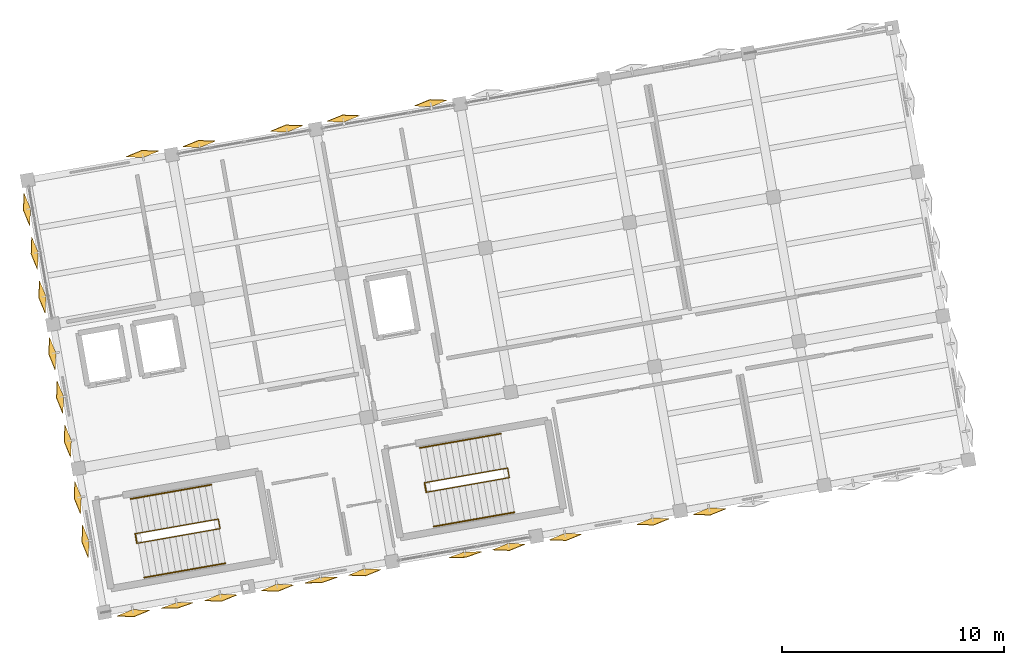
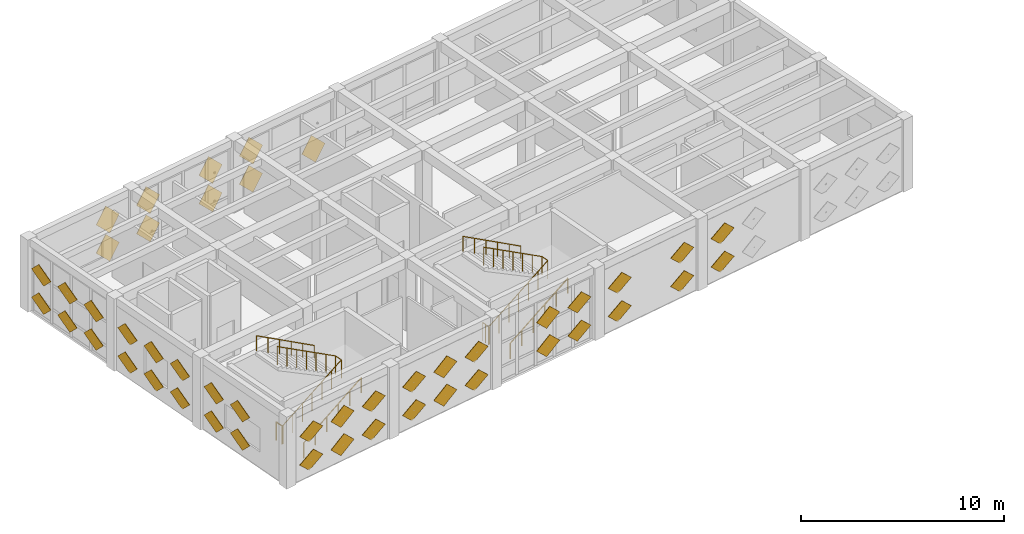
# One storey, part 34 of 36: 47 coverings, 8 railings.
"""IFC4 building model written with IfcOpenShell, lengths in metres."""

from ifc_helpers import new_model, si_unit, direction, frame, origin, origin_2d, place, context, subcontext, project, spatial, polyline, circle, outline, extrude, material, type_object, element, save


model = new_model("IFC4")

# Units and contexts
model_context = context("Model", 3, precision=1e-05, world=origin(), true_north=direction((0.0, 1.0)))
body_context = subcontext(model_context, "Body", "Model", "MODEL_VIEW")
ifc_project = project(units=[si_unit("LENGTHUNIT", "METRE"), si_unit("AREAUNIT", "SQUARE_METRE"), si_unit("VOLUMEUNIT", "CUBIC_METRE"), si_unit("PLANEANGLEUNIT", "RADIAN"), si_unit("MASSUNIT", "GRAM", prefix="KILO")], contexts=[model_context])

# Site, building, storey
site_placement = place(None, origin())
site = spatial("IfcSite", under=ifc_project, at=site_placement, CompositionType="ELEMENT")
building_placement = place(site_placement, origin())
building = spatial("IfcBuilding", under=site, at=building_placement, Name="Kharisveld Research Institute", CompositionType="ELEMENT")
storey_placement = place(building_placement, frame((0.0, 0.0, 27.60009765625)))
storey = spatial("IfcBuildingStorey", under=building, at=storey_placement, Name="L06", CompositionType="ELEMENT", Elevation=27.60009765625)

# Railings
ifc_material_1 = material(Name="Steel S355JR", Category="steel")
railing_type_1 = type_object("IfcRailingType", Name="RL_GRD_STR", PredefinedType="GUARDRAIL", material=ifc_material_1)
railing_1_placement = place(storey_placement, frame((6.75048828125, 38.13671875, 0.0)))
element("IfcRailing", 1, at=railing_1_placement, inside=storey, type_object=railing_type_1, Name="RLG:ST1:L06:GRD_SLOT", PredefinedType="GUARDRAIL", context=body_context, shape_type="SweptSolid", body=[
    extrude(circle(Radius=0.02392578125, at=origin_2d()), frame((0.0, 0.0, 1.09619140625), z_axis=(0.84417332575, 0.148863291176, 0.514986520826), x_axis=(-0.173662611611, 0.984805207809, 0.0)), (0.0, 0.0, 1.0), 4.369140625),
    extrude(circle(Radius=0.02392578125, at=origin_2d()), frame((3.688232421875, 0.650390625, 3.34619140625), z_axis=(-0.173658729201, 0.984805892434, 0.0), x_axis=(-0.984805892434, -0.173658729201, 0.0)), (0.0, 0.0, 1.0), 0.43994140625),
    extrude(circle(Radius=0.02392578125, at=origin_2d()), frame((3.61181640625, 1.083740234375, 3.34619140625), z_axis=(-0.844157266411, -0.148870313632, 0.515010814726), x_axis=(0.173673761132, -0.984803241614, 0.0)), (0.0, 0.0, 1.0), 4.368896484375),
    extrude(circle(Radius=0.02099609375, at=origin_2d()), origin(), (0.0, 0.0, 1.0), 1.072021484375),
    extrude(circle(Radius=0.02099609375, at=origin_2d()), frame((0.61474609375, 0.1083984375, 0.375)), (0.0, 0.0, 1.0), 1.072021484375),
    extrude(circle(Radius=0.02099609375, at=origin_2d()), frame((1.2294921875, 0.216796875, 0.75)), (0.0, 0.0, 1.0), 1.072021484375),
    extrude(circle(Radius=0.02099609375, at=origin_2d()), frame((1.84423828125, 0.3251953125, 1.125)), (0.0, 0.0, 1.0), 1.072021484375),
    extrude(circle(Radius=0.02099609375, at=origin_2d()), frame((2.458740234375, 0.43359375, 1.5)), (0.0, 0.0, 1.0), 1.072021484375),
    extrude(circle(Radius=0.02099609375, at=origin_2d()), frame((3.073486328125, 0.5419921875, 1.875)), (0.0, 0.0, 1.0), 1.072021484375),
    extrude(circle(Radius=0.02099609375, at=origin_2d()), frame((3.688232421875, 0.650390625, 2.25)), (0.0, 0.0, 1.0), 1.072021484375),
    extrude(circle(Radius=0.02099609375, at=origin_2d()), frame((3.61181640625, 1.083740234375, 2.25)), (0.0, 0.0, 1.0), 1.072021484375),
    extrude(circle(Radius=0.02099609375, at=origin_2d()), frame((2.9970703125, 0.975341796875, 2.625)), (0.0, 0.0, 1.0), 1.072021484375),
    extrude(circle(Radius=0.02099609375, at=origin_2d()), frame((2.382568359375, 0.866943359375, 3.0)), (0.0, 0.0, 1.0), 1.072021484375),
    extrude(circle(Radius=0.02099609375, at=origin_2d()), frame((1.767822265625, 0.758544921875, 3.375)), (0.0, 0.0, 1.0), 1.072021484375),
    extrude(circle(Radius=0.02099609375, at=origin_2d()), frame((1.153076171875, 0.650146484375, 3.75)), (0.0, 0.0, 1.0), 1.072021484375),
    extrude(circle(Radius=0.02099609375, at=origin_2d()), frame((0.53857421875, 0.541748046875, 4.125)), (0.0, 0.0, 1.0), 1.072021484375),
    extrude(circle(Radius=0.02099609375, at=origin_2d()), frame((-0.076171875, 0.433349609375, 4.5)), (0.0, 0.0, 1.0), 1.072021484375),
])
railing_2_placement = place(storey_placement, frame((6.69140625, 38.12646484375, 0.0)))
element("IfcRailing", 2, at=railing_2_placement, inside=storey, type_object=railing_type_1, Name="RLG:ST1:L06:GRD_FLRSLOT", PredefinedType="GUARDRAIL", context=body_context, shape_type="SweptSolid", body=[
    extrude(circle(Radius=0.02392578125, at=origin_2d()), frame((0.0, 0.0, 1.09619140625), z_axis=(-0.173753665698, 0.984789146801, 0.0), x_axis=(-0.984789146801, -0.173753665698, 0.0)), (0.0, 0.0, 1.0), 0.439697265625),
    extrude(circle(Radius=0.02099609375, at=origin_2d()), origin(), (0.0, 0.0, 1.0), 1.072021484375),
    extrude(circle(Radius=0.02099609375, at=origin_2d()), frame((-0.076416015625, 0.43310546875, 0.0)), (0.0, 0.0, 1.0), 1.072021484375),
])
railing_3_placement = place(storey_placement, frame((19.79931640625, 40.4375, 0.0)))
element("IfcRailing", 3, at=railing_3_placement, inside=storey, type_object=railing_type_1, Name="RLG:ST2:L06:GRD_SLOT", PredefinedType="GUARDRAIL", context=body_context, shape_type="SweptSolid", body=[
    extrude(circle(Radius=0.02392578125, at=origin_2d()), frame((0.0, 0.0, 1.09619140625), z_axis=(0.844157266411, 0.148870313632, 0.515010814726), x_axis=(-0.173673761132, 0.984803241614, 0.0)), (0.0, 0.0, 1.0), 4.368896484375),
    extrude(circle(Radius=0.02392578125, at=origin_2d()), frame((3.68798828125, 0.650390625, 3.34619140625), z_axis=(-0.173658729201, 0.984805892434, 0.0), x_axis=(-0.984805892434, -0.173658729201, 0.0)), (0.0, 0.0, 1.0), 0.43994140625),
    extrude(circle(Radius=0.02392578125, at=origin_2d()), frame((3.611572265625, 1.083740234375, 3.34619140625), z_axis=(-0.844157266411, -0.148870313632, 0.515010814726), x_axis=(0.173673761132, -0.984803241614, 0.0)), (0.0, 0.0, 1.0), 4.368896484375),
    extrude(circle(Radius=0.02099609375, at=origin_2d()), origin(), (0.0, 0.0, 1.0), 1.072021484375),
    extrude(circle(Radius=0.02099609375, at=origin_2d()), frame((0.61474609375, 0.1083984375, 0.375)), (0.0, 0.0, 1.0), 1.072021484375),
    extrude(circle(Radius=0.02099609375, at=origin_2d()), frame((1.229248046875, 0.216796875, 0.75)), (0.0, 0.0, 1.0), 1.072021484375),
    extrude(circle(Radius=0.02099609375, at=origin_2d()), frame((1.843994140625, 0.3251953125, 1.125)), (0.0, 0.0, 1.0), 1.072021484375),
    extrude(circle(Radius=0.02099609375, at=origin_2d()), frame((2.458740234375, 0.43359375, 1.5)), (0.0, 0.0, 1.0), 1.072021484375),
    extrude(circle(Radius=0.02099609375, at=origin_2d()), frame((3.0732421875, 0.5419921875, 1.875)), (0.0, 0.0, 1.0), 1.072021484375),
    extrude(circle(Radius=0.02099609375, at=origin_2d()), frame((3.68798828125, 0.650390625, 2.25)), (0.0, 0.0, 1.0), 1.072021484375),
    extrude(circle(Radius=0.02099609375, at=origin_2d()), frame((3.611572265625, 1.083740234375, 2.25)), (0.0, 0.0, 1.0), 1.072021484375),
    extrude(circle(Radius=0.02099609375, at=origin_2d()), frame((2.996826171875, 0.975341796875, 2.625)), (0.0, 0.0, 1.0), 1.072021484375),
    extrude(circle(Radius=0.02099609375, at=origin_2d()), frame((2.38232421875, 0.866943359375, 3.0)), (0.0, 0.0, 1.0), 1.072021484375),
    extrude(circle(Radius=0.02099609375, at=origin_2d()), frame((1.767578125, 0.758544921875, 3.375)), (0.0, 0.0, 1.0), 1.072021484375),
    extrude(circle(Radius=0.02099609375, at=origin_2d()), frame((1.15283203125, 0.650146484375, 3.75)), (0.0, 0.0, 1.0), 1.072021484375),
    extrude(circle(Radius=0.02099609375, at=origin_2d()), frame((0.538330078125, 0.541748046875, 4.125)), (0.0, 0.0, 1.0), 1.072021484375),
    extrude(circle(Radius=0.02099609375, at=origin_2d()), frame((-0.076416015625, 0.433349609375, 4.5)), (0.0, 0.0, 1.0), 1.072021484375),
])
railing_4_placement = place(storey_placement, frame((19.740234375, 40.42724609375, 0.0)))
element("IfcRailing", 4, at=railing_4_placement, inside=storey, type_object=railing_type_1, Name="RLG:ST2:L06:GRD_FLRSLOT", PredefinedType="GUARDRAIL", context=body_context, shape_type="SweptSolid", body=[
    extrude(circle(Radius=0.02392578125, at=origin_2d()), frame((0.0, 0.0, 1.09619140625), z_axis=(-0.173658729201, 0.984805892434, 0.0), x_axis=(-0.984805892434, -0.173658729201, 0.0)), (0.0, 0.0, 1.0), 0.43994140625),
    extrude(circle(Radius=0.02099609375, at=origin_2d()), origin(), (0.0, 0.0, 1.0), 1.072021484375),
    extrude(circle(Radius=0.02099609375, at=origin_2d()), frame((-0.0380859375, 0.216796875, 0.0)), (0.0, 0.0, 1.0), 1.072021484375),
    extrude(circle(Radius=0.02099609375, at=origin_2d()), frame((-0.076416015625, 0.433349609375, 0.0)), (0.0, 0.0, 1.0), 1.072021484375),
])
ifc_material_2 = material(Name="Stainless Steel 316", Category="steel")
railing_type_2 = type_object("IfcRailingType", Name="RL_HND_STR", PredefinedType="HANDRAIL", material=ifc_material_2)
railing_5_placement = place(storey_placement, frame((7.02490234375, 36.580810546875, 0.0)))
element("IfcRailing", 5, at=railing_5_placement, inside=storey, type_object=railing_type_2, Name="RLG:ST1:L06:HR1", PredefinedType="HANDRAIL", context=body_context, shape_type="SweptSolid", body=[
    extrude(circle(Radius=0.02392578125, at=origin_2d()), frame((0.0, 0.0, 0.89599609375), z_axis=(0.841746897377, 0.148411045473, 0.519072559801), x_axis=(-0.173634966033, 0.984810082488, 0.0)), (0.0, 0.0, 1.0), 4.334716796875),
    extrude(circle(Radius=0.02099609375, at=origin_2d()), origin(), (0.0, 0.0, 1.0), 0.871826171875),
    extrude(circle(Radius=0.02099609375, at=origin_2d()), frame((0.729736328125, 0.128662109375, 0.449951171875)), (0.0, 0.0, 1.0), 0.871826171875),
    extrude(circle(Radius=0.02099609375, at=origin_2d()), frame((1.45947265625, 0.25732421875, 0.89990234375)), (0.0, 0.0, 1.0), 0.871826171875),
    extrude(circle(Radius=0.02099609375, at=origin_2d()), frame((2.189208984375, 0.385986328125, 1.35009765625)), (0.0, 0.0, 1.0), 0.871826171875),
    extrude(circle(Radius=0.02099609375, at=origin_2d()), frame((2.9189453125, 0.5146484375, 1.800048828125)), (0.0, 0.0, 1.0), 0.871826171875),
    extrude(circle(Radius=0.02099609375, at=origin_2d()), frame((3.648681640625, 0.643310546875, 2.25)), (0.0, 0.0, 1.0), 0.871826171875),
])
railing_6_placement = place(storey_placement, frame((10.048583984375, 40.76953125, 2.25)))
element("IfcRailing", 6, at=railing_6_placement, inside=storey, type_object=railing_type_2, Name="RLG:ST1:L06:HR2", PredefinedType="HANDRAIL", context=body_context, shape_type="SweptSolid", body=[
    extrude(circle(Radius=0.02392578125, at=origin_2d()), frame((0.0, 0.0, 0.89599609375), z_axis=(-0.841739860008, -0.148466127198, 0.519068220129), x_axis=(0.173698873865, -0.984798812559, 0.0)), (0.0, 0.0, 1.0), 4.334716796875),
    extrude(circle(Radius=0.02099609375, at=origin_2d()), origin(), (0.0, 0.0, 1.0), 0.871826171875),
    extrude(circle(Radius=0.02099609375, at=origin_2d()), frame((-0.729736328125, -0.128662109375, 0.449951171875)), (0.0, 0.0, 1.0), 0.871826171875),
    extrude(circle(Radius=0.02099609375, at=origin_2d()), frame((-1.45947265625, -0.25732421875, 0.89990234375)), (0.0, 0.0, 1.0), 0.871826171875),
    extrude(circle(Radius=0.02099609375, at=origin_2d()), frame((-2.189208984375, -0.38623046875, 1.35009765625)), (0.0, 0.0, 1.0), 0.871826171875),
    extrude(circle(Radius=0.02099609375, at=origin_2d()), frame((-2.9189453125, -0.514892578125, 1.800048828125)), (0.0, 0.0, 1.0), 0.871826171875),
    extrude(circle(Radius=0.02099609375, at=origin_2d()), frame((-3.648681640625, -0.6435546875, 2.25)), (0.0, 0.0, 1.0), 0.871826171875),
])
railing_7_placement = place(storey_placement, frame((20.07373046875, 38.881591796875, 0.0)))
element("IfcRailing", 7, at=railing_7_placement, inside=storey, type_object=railing_type_2, Name="RLG:ST2:L06:HR1", PredefinedType="HANDRAIL", context=body_context, shape_type="SweptSolid", body=[
    extrude(circle(Radius=0.02392578125, at=origin_2d()), frame((0.0, 0.0, 0.89599609375), z_axis=(0.841746897377, 0.148411045473, 0.519072559801), x_axis=(-0.173634966033, 0.984810082488, 0.0)), (0.0, 0.0, 1.0), 4.334716796875),
    extrude(circle(Radius=0.02099609375, at=origin_2d()), origin(), (0.0, 0.0, 1.0), 0.871826171875),
    extrude(circle(Radius=0.02099609375, at=origin_2d()), frame((0.729736328125, 0.128662109375, 0.449951171875)), (0.0, 0.0, 1.0), 0.871826171875),
    extrude(circle(Radius=0.02099609375, at=origin_2d()), frame((1.45947265625, 0.25732421875, 0.89990234375)), (0.0, 0.0, 1.0), 0.871826171875),
    extrude(circle(Radius=0.02099609375, at=origin_2d()), frame((2.189208984375, 0.385986328125, 1.35009765625)), (0.0, 0.0, 1.0), 0.871826171875),
    extrude(circle(Radius=0.02099609375, at=origin_2d()), frame((2.9189453125, 0.5146484375, 1.800048828125)), (0.0, 0.0, 1.0), 0.871826171875),
    extrude(circle(Radius=0.02099609375, at=origin_2d()), frame((3.648681640625, 0.643310546875, 2.25)), (0.0, 0.0, 1.0), 0.871826171875),
])
railing_8_placement = place(storey_placement, frame((23.09716796875, 43.0703125, 2.25)))
element("IfcRailing", 8, at=railing_8_placement, inside=storey, type_object=railing_type_2, Name="RLG:ST2:L06:HR2", PredefinedType="HANDRAIL", context=body_context, shape_type="SweptSolid", body=[
    extrude(circle(Radius=0.02392578125, at=origin_2d()), frame((0.0, 0.0, 0.89599609375), z_axis=(-0.841746897377, -0.148411045473, 0.519072559801), x_axis=(0.173634966033, -0.984810082488, 0.0)), (0.0, 0.0, 1.0), 4.334716796875),
    extrude(circle(Radius=0.02099609375, at=origin_2d()), origin(), (0.0, 0.0, 1.0), 0.871826171875),
    extrude(circle(Radius=0.02099609375, at=origin_2d()), frame((-0.729736328125, -0.128662109375, 0.449951171875)), (0.0, 0.0, 1.0), 0.871826171875),
    extrude(circle(Radius=0.02099609375, at=origin_2d()), frame((-1.45947265625, -0.25732421875, 0.89990234375)), (0.0, 0.0, 1.0), 0.871826171875),
    extrude(circle(Radius=0.02099609375, at=origin_2d()), frame((-2.189208984375, -0.385986328125, 1.35009765625)), (0.0, 0.0, 1.0), 0.871826171875),
    extrude(circle(Radius=0.02099609375, at=origin_2d()), frame((-2.9189453125, -0.5146484375, 1.800048828125)), (0.0, 0.0, 1.0), 0.871826171875),
    extrude(circle(Radius=0.02099609375, at=origin_2d()), frame((-3.648681640625, -0.643310546875, 2.25)), (0.0, 0.0, 1.0), 0.871826171875),
])

# Coverings
ifc_material_3 = material(Name="White Powder-Coated Perforated Aluminium", Category="aluminium")
covering_type = type_object("IfcCoveringType", Name="CV_DIA_105", PredefinedType="CLADDING")
for number, where, z_axis, x_axis, name in (
    (9, (4.529052734375, 38.24267578125, 0.324951171875), (0.961476347302, 0.169530643305, 0.21638529192), (-0.273471090272, 0.669725119033, 0.690421485559), "SHD:V1:L06:W0:S1C0"),
    (10, (4.529052734375, 38.24267578125, 2.025146484375), (0.961476347302, 0.169530643305, 0.21638529192), (-0.273471090272, 0.669725119033, 0.690421485559), "SHD:V1:L06:W0:S1C1"),
):
    element("IfcCovering", number, at=place(storey_placement, frame(where, z_axis=z_axis, x_axis=x_axis)), inside=storey, type_object=covering_type, material=ifc_material_3, Name=name, PredefinedType="CLADDING", context=body_context, shape_type="SweptSolid", body=[
        extrude(outline(polyline([(0.0, 0.0), (1.0498710291992122, 0.0), (1.0499937163043682, 1.0499534820137317), (0.00012268710515594972, 1.049953482013732), (0.0, 0.0)])), origin(), (0.0, 0.0, -1.0), 0.02392578125),
    ])
for number, where, z_axis, x_axis, name in (
    (11, (4.181396484375, 40.215576171875, 0.324951171875), (0.961442649282, 0.16952470156, 0.216539621552), (-0.273578752319, 0.669701468459, 0.690401773914), "SHD:V1:L06:W0:S2C0"),
    (12, (4.181396484375, 40.215576171875, 2.025146484375), (0.961442649282, 0.16952470156, 0.216539621552), (-0.273578752319, 0.669701468459, 0.690401773914), "SHD:V1:L06:W0:S2C1"),
):
    element("IfcCovering", number, at=place(storey_placement, frame(where, z_axis=z_axis, x_axis=x_axis)), inside=storey, type_object=covering_type, material=ifc_material_3, Name=name, PredefinedType="CLADDING", context=body_context, shape_type="SweptSolid", body=[
        extrude(outline(polyline([(0.0, 0.0), (1.0499378143046156, 0.0), (1.0500673190877523, 1.04995347463551), (0.0001962964707143966, 1.0499603048962165), (0.0, 0.0)])), origin(), (0.0, 0.0, -1.0), 0.02392578125),
    ])
for number, where, z_axis, x_axis, name in (
    (13, (3.73095703125, 42.76953125, 0.324951171875), (0.961481187298, 0.169503194288, 0.216385289699), (-0.273452141042, 0.669728459805, 0.690425750307), "SHD:V1:L06:W1:S0C0"),
    (14, (3.73095703125, 42.76953125, 2.025146484375), (0.961481187298, 0.169503194288, 0.216385289699), (-0.273452141042, 0.669728459805, 0.690425750307), "SHD:V1:L06:W1:S0C1"),
    (15, (3.383056640625, 44.742431640625, 0.324951171875), (0.961481187298, 0.169503194288, 0.216385289699), (-0.273452141042, 0.669728459805, 0.690425750307), "SHD:V1:L06:W1:S1C0"),
    (16, (3.383056640625, 44.742431640625, 2.025146484375), (0.961481187298, 0.169503194288, 0.216385289699), (-0.273452141042, 0.669728459805, 0.690425750307), "SHD:V1:L06:W1:S1C1"),
    (17, (3.03515625, 46.71533203125, 0.324951171875), (0.961481187298, 0.169503194288, 0.216385289699), (-0.273452141042, 0.669728459805, 0.690425750307), "SHD:V1:L06:W1:S2C0"),
    (18, (3.03515625, 46.71533203125, 2.025146484375), (0.961481187298, 0.169503194288, 0.216385289699), (-0.273452141042, 0.669728459805, 0.690425750307), "SHD:V1:L06:W1:S2C1"),
):
    element("IfcCovering", number, at=place(storey_placement, frame(where, z_axis=z_axis, x_axis=x_axis)), inside=storey, type_object=covering_type, material=ifc_material_3, Name=name, PredefinedType="CLADDING", context=body_context, shape_type="SweptSolid", body=[
        extrude(outline(polyline([(0.0, 0.0), (1.0498710289953155, -1.1102230246251565e-16), (1.0499937165082887, 1.0499534818098035), (-4.082041178410378e-05, 1.0501299960653954), (0.0, 0.0)])), origin(), (0.0, 0.0, -1.0), 0.02392578125),
    ])
for number, where, z_axis, x_axis, name in (
    (19, (2.5849609375, 49.269287109375, 0.324951171875), (0.961420032054, 0.169652917176, 0.216539626071), (-0.273667258538, 0.669685861016, 0.690381835769), "SHD:V1:L06:W2:S0C0"),
    (20, (2.5849609375, 49.269287109375, 2.025146484375), (0.961420032054, 0.169652917176, 0.216539626071), (-0.273667258538, 0.669685861016, 0.690381835769), "SHD:V1:L06:W2:S0C1"),
    (21, (2.237060546875, 51.2421875, 0.324951171875), (0.961420032054, 0.169652917176, 0.216539626071), (-0.273667258538, 0.669685861016, 0.690381835769), "SHD:V1:L06:W2:S1C0"),
    (22, (2.237060546875, 51.2421875, 2.025146484375), (0.961420032054, 0.169652917176, 0.216539626071), (-0.273667258538, 0.669685861016, 0.690381835769), "SHD:V1:L06:W2:S1C1"),
):
    element("IfcCovering", number, at=place(storey_placement, frame(where, z_axis=z_axis, x_axis=x_axis)), inside=storey, type_object=covering_type, material=ifc_material_3, Name=name, PredefinedType="CLADDING", context=body_context, shape_type="SweptSolid", body=[
        extrude(outline(polyline([(0.0, 0.0), (1.0499378206599106, 0.0), (1.0500673127316735, 1.0499534809922781), (-3.40054528989997e-05, 1.0501299963078314), (0.0, 0.0)])), origin(), (0.0, 0.0, -1.0), 0.02392578125),
    ])
for number, where, z_axis, x_axis, name in (
    (23, (1.88916015625, 53.215087890625, 0.324951171875), (0.961447488939, 0.169497253476, 0.216539620108), (-0.273559622879, 0.669709514325, 0.690401549211), "SHD:V1:L06:W2:S2C0"),
    (24, (1.88916015625, 53.215087890625, 2.025146484375), (0.961447488939, 0.169497253476, 0.216539620108), (-0.273559622879, 0.669709514325, 0.690401549211), "SHD:V1:L06:W2:S2C1"),
):
    element("IfcCovering", number, at=place(storey_placement, frame(where, z_axis=z_axis, x_axis=x_axis)), inside=storey, type_object=covering_type, material=ifc_material_3, Name=name, PredefinedType="CLADDING", context=body_context, shape_type="SweptSolid", body=[
        extrude(outline(polyline([(0.0, 0.0), (1.0498710247482905, 1.1102230246251565e-16), (1.0500604861589913, 1.0499603082606803), (-4.0828905999434895e-05, 1.0501299918190874), (0.0, 0.0)])), origin(), (0.0, 0.0, -1.0), 0.02392578125),
    ])
for number, where, z_axis, x_axis, name in (
    (25, (6.96728515625, 55.52783203125, 0.324951171875), (0.169652917176, -0.961420032054, 0.216539626071), (0.66980738436, 0.273662566838, 0.690265794725), "SHD:V1:L06:N0:S2C0"),
    (26, (6.96728515625, 55.52783203125, 2.025146484375), (0.169652917176, -0.961420032054, 0.216539626071), (0.66980738436, 0.273662566838, 0.690265794725), "SHD:V1:L06:N0:S2C1"),
):
    element("IfcCovering", number, at=place(storey_placement, frame(where, z_axis=z_axis, x_axis=x_axis)), inside=storey, type_object=covering_type, material=ifc_material_3, Name=name, PredefinedType="CLADDING", context=body_context, shape_type="SweptSolid", body=[
        extrude(outline(polyline([(0.0, 0.0), (1.0501013330201203, 0.0), (1.049890807434033, 1.0501299757557796), (-4.699839263988537e-05, 1.0499534879256078), (0.0, 0.0)])), origin(), (0.0, 0.0, -1.0), 0.02392578125),
    ])
for number, where, z_axis, x_axis, name in (
    (27, (9.521240234375, 55.978271484375, 0.324951171875), (0.169503194288, -0.961481187298, 0.216385289699), (0.669849989418, 0.273447448775, 0.690309701826), "SHD:V1:L06:N1:S0C0"),
    (28, (9.521240234375, 55.978271484375, 2.025146484375), (0.169503194288, -0.961481187298, 0.216385289699), (0.669849989418, 0.273447448775, 0.690309701826), "SHD:V1:L06:N1:S0C1"),
    (29, (13.467041015625, 56.674072265625, 0.324951171875), (0.169503194288, -0.961481187298, 0.216385289699), (0.669849989418, 0.273447448775, 0.690309701826), "SHD:V1:L06:N1:S2C0"),
    (30, (13.467041015625, 56.674072265625, 2.025146484375), (0.169503194288, -0.961481187298, 0.216385289699), (0.669849989418, 0.273447448775, 0.690309701826), "SHD:V1:L06:N1:S2C1"),
):
    element("IfcCovering", number, at=place(storey_placement, frame(where, z_axis=z_axis, x_axis=x_axis)), inside=storey, type_object=covering_type, material=ifc_material_3, Name=name, PredefinedType="CLADDING", context=body_context, shape_type="SweptSolid", body=[
        extrude(outline(polyline([(0.0, 0.0), (1.0500345517563856, -1.1102230246251565e-16), (1.0498172010450848, 1.0501299743656882), (-5.381311622809637e-05, 1.0499534875988095), (0.0, 0.0)])), origin(), (0.0, 0.0, -1.0), 0.02392578125),
    ])
for number, where, z_axis, x_axis, name in (
    (31, (16.02099609375, 57.124267578125, 0.324951171875), (0.16952470156, -0.961442649282, 0.216539621552), (0.66970617229, 0.273578570302, 0.690397283213), "SHD:V1:L06:N2:S0C0"),
    (32, (16.02099609375, 57.124267578125, 2.025146484375), (0.16952470156, -0.961442649282, 0.216539621552), (0.66970617229, 0.273578570302, 0.690397283213), "SHD:V1:L06:N2:S0C1"),
):
    element("IfcCovering", number, at=place(storey_placement, frame(where, z_axis=z_axis, x_axis=x_axis)), inside=storey, type_object=covering_type, material=ifc_material_3, Name=name, PredefinedType="CLADDING", context=body_context, shape_type="SweptSolid", body=[
        extrude(outline(polyline([(0.0, 0.0), (1.0498710226392558, 0.0), (1.0500604882684064, 1.0499603061510638), (0.00012267398601040203, 1.0499534754558235), (0.0, 0.0)])), origin(), (0.0, 0.0, -1.0), 0.02392578125),
    ])
covering_1_placement = place(storey_placement, frame((19.966796875, 57.820068359375, 0.324951171875), z_axis=(0.169530643305, -0.961476347302, 0.21638529192), x_axis=(0.669725119033, 0.273471090272, 0.690421485559)))
element("IfcCovering", 33, at=covering_1_placement, inside=storey, type_object=covering_type, material=ifc_material_3, Name="SHD:V1:L06:N2:S2C0", PredefinedType="CLADDING", context=body_context, shape_type="SweptSolid", body=[
    extrude(outline(polyline([(0.0, 0.0), (1.0498710291992122, 0.0), (1.0499937163043682, 1.0499534820137317), (0.00012268710515594972, 1.049953482013732), (0.0, 0.0)])), origin(), (0.0, 0.0, -1.0), 0.02392578125),
])
for number, where, z_axis, x_axis, name in (
    (34, (32.4931640625, 39.7216796875, 0.324951171875), (-0.169504241221, 0.961487125864, 0.216358080518), (-0.669853329409, -0.27342850239, 0.690313965642), "SHD:V1:L06:S5:S2C0"),
    (35, (32.4931640625, 39.7216796875, 2.025146484375), (-0.169504241221, 0.961487125864, 0.216358080518), (-0.669853329409, -0.27342850239, 0.690313965642), "SHD:V1:L06:S5:S2C1"),
):
    element("IfcCovering", number, at=place(storey_placement, frame(where, z_axis=z_axis, x_axis=x_axis)), inside=storey, type_object=covering_type, material=ifc_material_3, Name=name, PredefinedType="CLADDING", context=body_context, shape_type="SweptSolid", body=[
        extrude(outline(polyline([(0.0, 0.0), (1.0500345519602505, 0.0), (1.0499807392517624, 1.0499534878027108), (-5.381270848814346e-05, 1.049953487802711), (0.0, 0.0)])), origin(), (0.0, 0.0, -1.0), 0.02392578125),
    ])
for number, where, z_axis, x_axis, name in (
    (36, (29.939208984375, 39.271240234375, 0.324951171875), (-0.169503194288, 0.961481187298, 0.216385289699), (-0.669849989418, -0.273447448775, 0.690309701826), "SHD:V1:L06:S4:S0C0"),
    (37, (29.939208984375, 39.271240234375, 2.025146484375), (-0.169503194288, 0.961481187298, 0.216385289699), (-0.669849989418, -0.273447448775, 0.690309701826), "SHD:V1:L06:S4:S0C1"),
):
    element("IfcCovering", number, at=place(storey_placement, frame(where, z_axis=z_axis, x_axis=x_axis)), inside=storey, type_object=covering_type, material=ifc_material_3, Name=name, PredefinedType="CLADDING", context=body_context, shape_type="SweptSolid", body=[
        extrude(outline(polyline([(0.0, 0.0), (1.0500345517563856, -1.1102230246251565e-16), (1.0498172010450848, 1.0501299743656882), (-5.381311622809637e-05, 1.0499534875988095), (0.0, 0.0)])), origin(), (0.0, 0.0, -1.0), 0.02392578125),
    ])
for number, where, z_axis, x_axis, name in (
    (38, (25.993408203125, 38.57568359375, 0.324951171875), (-0.169652917176, 0.961420032054, 0.216539626071), (-0.66980738436, -0.273662566838, 0.690265794725), "SHD:V1:L06:S4:S2C0"),
    (39, (25.993408203125, 38.57568359375, 2.025146484375), (-0.169652917176, 0.961420032054, 0.216539626071), (-0.66980738436, -0.273662566838, 0.690265794725), "SHD:V1:L06:S4:S2C1"),
):
    element("IfcCovering", number, at=place(storey_placement, frame(where, z_axis=z_axis, x_axis=x_axis)), inside=storey, type_object=covering_type, material=ifc_material_3, Name=name, PredefinedType="CLADDING", context=body_context, shape_type="SweptSolid", body=[
        extrude(outline(polyline([(0.0, 0.0), (1.0501013330201203, 0.0), (1.049890807434033, 1.0501299757557796), (-4.699839263988537e-05, 1.0499534879256078), (0.0, 0.0)])), origin(), (0.0, 0.0, -1.0), 0.02392578125),
    ])
for number, where, z_axis, x_axis, name in (
    (40, (23.439453125, 38.125244140625, 0.324951171875), (-0.169503194288, 0.961481187298, 0.216385289699), (-0.669849989418, -0.273447448775, 0.690309701826), "SHD:V1:L06:S3:S0C0"),
    (41, (23.439453125, 38.125244140625, 2.025146484375), (-0.169503194288, 0.961481187298, 0.216385289699), (-0.669849989418, -0.273447448775, 0.690309701826), "SHD:V1:L06:S3:S0C1"),
):
    element("IfcCovering", number, at=place(storey_placement, frame(where, z_axis=z_axis, x_axis=x_axis)), inside=storey, type_object=covering_type, material=ifc_material_3, Name=name, PredefinedType="CLADDING", context=body_context, shape_type="SweptSolid", body=[
        extrude(outline(polyline([(0.0, 0.0), (1.0500345517563856, -1.1102230246251565e-16), (1.0498172010450848, 1.0501299743656882), (-5.381311622809637e-05, 1.0499534875988095), (0.0, 0.0)])), origin(), (0.0, 0.0, -1.0), 0.02392578125),
    ])
covering_2_placement = place(storey_placement, frame((21.47314453125, 37.73974609375, 0.317626953125), z_axis=(-0.171237830585, 0.971320648866, 0.164966064583), x_axis=(-0.676188457252, -0.237643325501, 0.697348420894)))
element("IfcCovering", 42, at=covering_2_placement, inside=storey, type_object=covering_type, material=ifc_material_3, Name="SHD:V1:L06:S3:S1C0", PredefinedType="CLADDING", context=body_context, shape_type="SweptSolid", body=[
    extrude(outline(polyline([(0.0, 0.0), (1.0499451725130124, 0.0), (1.0497685064748128, 1.0502600664649298), (-0.00018183204494859329, 1.0499148415275723), (0.0, 0.0)])), origin(), (0.0, 0.0, -1.0), 0.02392578125),
])
covering_3_placement = place(storey_placement, frame((21.47314453125, 37.73974609375, 2.017578125), z_axis=(-0.171237830585, 0.971320648866, 0.164966064583), x_axis=(-0.676072253132, -0.237642047114, 0.697461515776)))
element("IfcCovering", 43, at=covering_3_placement, inside=storey, type_object=covering_type, material=ifc_material_3, Name="SHD:V1:L06:S3:S1C1", PredefinedType="CLADDING", context=body_context, shape_type="SweptSolid", body=[
    extrude(outline(polyline([(0.0, 0.0), (1.0501154373989794, 0.0), (1.0499388016086548, 1.0500898234312432), (0.00015869960247516524, 1.0500851150823278), (0.0, 0.0)])), origin(), (0.0, 0.0, -1.0), 0.02392578125),
])
for number, where, z_axis, x_axis, name in (
    (44, (16.939697265625, 36.979248046875, 0.324951171875), (-0.169680388935, 0.961415183851, 0.216539626561), (-0.669682514552, -0.273686222093, 0.690377564481), "SHD:V1:L06:S2:S0C0"),
    (45, (16.939697265625, 36.979248046875, 2.025146484375), (-0.169680388935, 0.961415183851, 0.216539626561), (-0.669682514552, -0.273686222093, 0.690377564481), "SHD:V1:L06:S2:S0C1"),
):
    element("IfcCovering", number, at=place(storey_placement, frame(where, z_axis=z_axis, x_axis=x_axis)), inside=storey, type_object=covering_type, material=ifc_material_3, Name=name, PredefinedType="CLADDING", context=body_context, shape_type="SweptSolid", body=[
        extrude(outline(polyline([(0.0, 0.0), (1.0499378208641543, -1.1102230246251565e-16), (1.0500673125274043, 1.0499534811965692), (0.00012949166324993655, 1.0499534811965692), (0.0, 0.0)])), origin(), (0.0, 0.0, -1.0), 0.02392578125),
    ])
covering_4_placement = place(storey_placement, frame((14.973388671875, 36.59375, 0.317626953125), z_axis=(-0.171260983897, 0.971289803558, 0.165123568578), x_axis=(-0.67604629243, -0.23777103681, 0.697442717753)))
element("IfcCovering", 46, at=covering_4_placement, inside=storey, type_object=covering_type, material=ifc_material_3, Name="SHD:V1:L06:S2:S1C0", PredefinedType="CLADDING", context=body_context, shape_type="SweptSolid", body=[
    extrude(outline(polyline([(0.0, 0.0), (1.049780098206416, 0.0), (1.0500015424873141, 1.050083198396327), (-6.879389649716572e-06, 1.0499148526388677), (0.0, 0.0)])), origin(), (0.0, 0.0, -1.0), 0.02392578125),
])
covering_5_placement = place(storey_placement, frame((14.973388671875, 36.59375, 2.017578125), z_axis=(-0.171260983897, 0.971289803558, 0.165123568578), x_axis=(-0.675930071115, -0.237769766688, 0.697555787741)))
element("IfcCovering", 47, at=covering_5_placement, inside=storey, type_object=covering_type, material=ifc_material_3, Name="SHD:V1:L06:S2:S1C1", PredefinedType="CLADDING", context=body_context, shape_type="SweptSolid", body=[
    extrude(outline(polyline([(0.0, 0.0), (1.0499503861110382, 2.220446049250313e-16), (1.0501718035814118, 1.0499129229334039), (0.0003336699169195212, 1.0500850657008003), (0.0, 0.0)])), origin(), (0.0, 0.0, -1.0), 0.02392578125),
])
for number, where, z_axis, x_axis, name in (
    (48, (12.993896484375, 36.283447265625, 0.324951171875), (-0.169530643305, 0.961476347302, 0.21638529192), (-0.669725119033, -0.273471090272, 0.690421485559), "SHD:V1:L06:S2:S2C0"),
    (49, (12.993896484375, 36.283447265625, 2.025146484375), (-0.169530643305, 0.961476347302, 0.21638529192), (-0.669725119033, -0.273471090272, 0.690421485559), "SHD:V1:L06:S2:S2C1"),
    (50, (10.43994140625, 35.8330078125, 0.324951171875), (-0.169530643305, 0.961476347302, 0.21638529192), (-0.669725119033, -0.273471090272, 0.690421485559), "SHD:V1:L06:S1:S0C0"),
    (51, (10.43994140625, 35.8330078125, 2.025146484375), (-0.169530643305, 0.961476347302, 0.21638529192), (-0.669725119033, -0.273471090272, 0.690421485559), "SHD:V1:L06:S1:S0C1"),
):
    element("IfcCovering", number, at=place(storey_placement, frame(where, z_axis=z_axis, x_axis=x_axis)), inside=storey, type_object=covering_type, material=ifc_material_3, Name=name, PredefinedType="CLADDING", context=body_context, shape_type="SweptSolid", body=[
        extrude(outline(polyline([(0.0, 0.0), (1.0498710291992122, 0.0), (1.0499937163043682, 1.0499534820137317), (0.00012268710515594972, 1.049953482013732), (0.0, 0.0)])), origin(), (0.0, 0.0, -1.0), 0.02392578125),
    ])
covering_6_placement = place(storey_placement, frame((8.4736328125, 35.44775390625, 0.317626953125), z_axis=(-0.171260983897, 0.971289803558, 0.165123568578), x_axis=(-0.676047594671, -0.237771051008, 0.69744145062)))
element("IfcCovering", 52, at=covering_6_placement, inside=storey, type_object=covering_type, material=ifc_material_3, Name="SHD:V1:L06:S1:S1C0", PredefinedType="CLADDING", context=body_context, shape_type="SweptSolid", body=[
    extrude(outline(polyline([(0.0, 0.0), (1.0498381477776833, -1.1102230246251565e-16), (1.0499996344353992, 1.0500851062964023), (4.926243906100414e-05, 1.0499129451252003), (0.0, 0.0)])), origin(), (0.0, 0.0, -1.0), 0.02392578125),
])
covering_7_placement = place(storey_placement, frame((8.4736328125, 35.44775390625, 2.017578125), z_axis=(-0.171260983897, 0.971289803558, 0.165123568578), x_axis=(-0.67593137977, -0.237769781024, 0.697554514769)))
element("IfcCovering", 53, at=covering_7_placement, inside=storey, type_object=covering_type, material=ifc_material_3, Name="SHD:V1:L06:S1:S1C1", PredefinedType="CLADDING", context=body_context, shape_type="SweptSolid", body=[
    extrude(outline(polyline([(0.0, 0.0), (1.0500084353722339, -1.1102230246251565e-16), (1.0501698867361986, 1.0499148402477598), (0.00038980202211746917, 1.050083149396377), (0.0, 0.0)])), origin(), (0.0, 0.0, -1.0), 0.02392578125),
])
for number, where, z_axis, x_axis, name in (
    (54, (6.494140625, 35.137451171875, 0.324951171875), (-0.169652917176, 0.961420032054, 0.216539626071), (-0.669685861016, -0.273667258538, 0.690381835769), "SHD:V1:L06:S1:S2C0"),
    (55, (6.494140625, 35.137451171875, 2.025146484375), (-0.169652917176, 0.961420032054, 0.216539626071), (-0.669685861016, -0.273667258538, 0.690381835769), "SHD:V1:L06:S1:S2C1"),
):
    element("IfcCovering", number, at=place(storey_placement, frame(where, z_axis=z_axis, x_axis=x_axis)), inside=storey, type_object=covering_type, material=ifc_material_3, Name=name, PredefinedType="CLADDING", context=body_context, shape_type="SweptSolid", body=[
        extrude(outline(polyline([(0.0, 0.0), (1.0499378206599106, 0.0), (1.0500673127316735, 1.0499534809922781), (-3.40054528989997e-05, 1.0501299963078314), (0.0, 0.0)])), origin(), (0.0, 0.0, -1.0), 0.02392578125),
    ])

save(model, "model.ifc")
